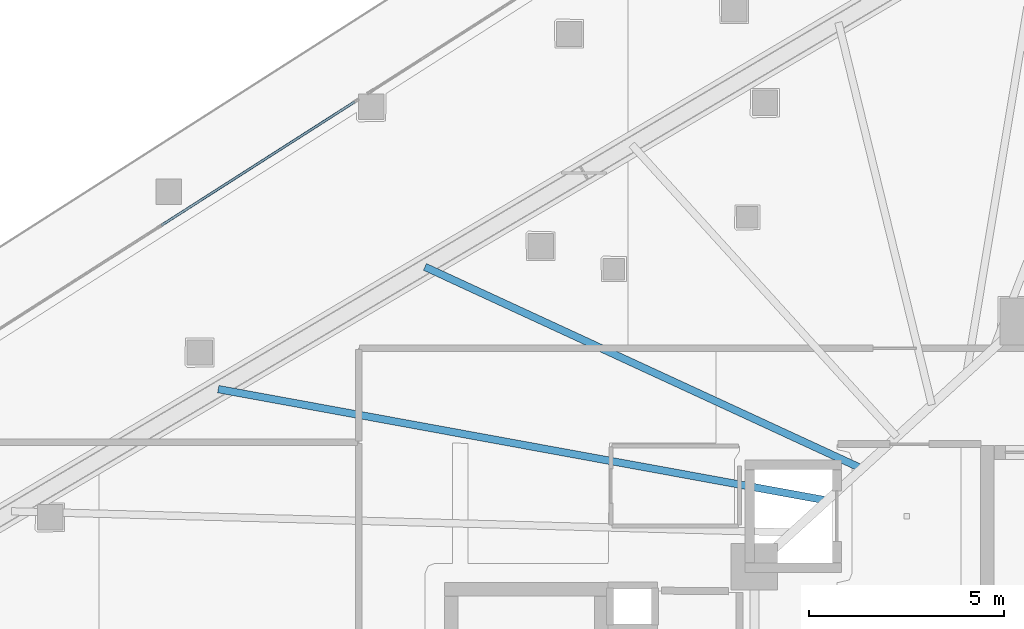
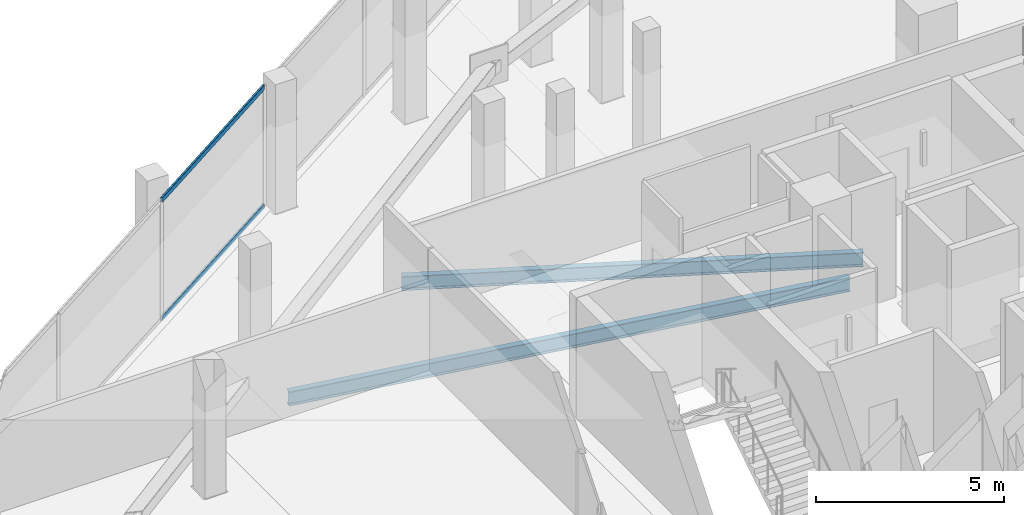
# One storey, part 15 of 43: 2 beams, 2 members, 1 element without a shape of its own.
"""IFC4 building model written with IfcOpenShell, lengths in metres."""

from ifc_helpers import new_model, si_unit, direction, frame, origin, origin_2d, place, context, subcontext, project, spatial, hollow_rectangle, i_section, extrude, material, layer, layer_set, material_profile, profile_set, type_object, element, aggregate, save


model = new_model("IFC4")

# Units and contexts
model_context = context("Model", 3, precision=1e-05, world=origin(), true_north=direction((0.0, 1.0)))
body_context = subcontext(model_context, "Body", "Model", "MODEL_VIEW")
ifc_project = project(units=[si_unit("LENGTHUNIT", "METRE"), si_unit("AREAUNIT", "SQUARE_METRE"), si_unit("VOLUMEUNIT", "CUBIC_METRE"), si_unit("PLANEANGLEUNIT", "RADIAN"), si_unit("MASSUNIT", "GRAM", prefix="KILO")], contexts=[model_context])

# Site, building, storey
site_placement = place(None, origin())
site = spatial("IfcSite", under=ifc_project, at=site_placement, CompositionType="ELEMENT")
building_placement = place(site_placement, origin())
building = spatial("IfcBuilding", under=site, at=building_placement, Name="Qorvath Tower", CompositionType="ELEMENT")
storey_placement = place(building_placement, frame((0.0, 0.0, 36.60009765625)))
storey = spatial("IfcBuildingStorey", under=building, at=storey_placement, Name="L07", CompositionType="ELEMENT", Elevation=36.60009765625)

# Beams
ifc_material_1 = material(Name="Steel ASTM A992 Grade 50", Category="steel")
ifc_material_profile_1 = material_profile(ifc_material_1, i_section(OverallWidth=0.18994140625, OverallDepth=0.45703125, WebThickness=0.009033203125, FlangeThickness=0.014404296875, FilletRadius=0.011962890625, at=origin_2d()), Name="W18x50")
ifc_profile_set_1 = profile_set([ifc_material_profile_1], Name="Steel ASTM A992 Grade 50")
beam_type = type_object("IfcBeamType", Name="BM-FJ2", PredefinedType="JOIST", material=ifc_profile_set_1)
beam_1_placement = place(storey_placement, frame((-28.636962890625, 6.85107421875, -0.508544921875), z_axis=(-0.983656498786, 0.180055248176, 0.0), x_axis=(-0.180055248176, -0.983656498786, 0.0)))
element("IfcBeam", 1, at=beam_1_placement, inside=storey, type_object=beam_type, Name="Composite Floor Joist NW2 L07", PredefinedType="JOIST", context=body_context, shape_type="SweptSolid", body=[
    extrude(i_section(OverallWidth=0.18994140625, OverallDepth=0.45703125, WebThickness=0.009033203125, FlangeThickness=0.014404296875, FilletRadius=0.011962890625, at=origin_2d()), origin(), (0.0, 0.0, 1.0), 15.884521484375),
])
beam_2_placement = place(storey_placement, frame((-27.739990234375, 7.669921875, -0.508544921875), z_axis=(-0.907881281747, 0.419227358665, 0.0), x_axis=(-0.419227358665, -0.907881281747, 0.0)))
element("IfcBeam", 2, at=beam_2_placement, inside=storey, type_object=beam_type, Name="Composite Floor Joist NW3 L07", PredefinedType="JOIST", context=body_context, shape_type="SweptSolid", body=[
    extrude(i_section(OverallWidth=0.18994140625, OverallDepth=0.45703125, WebThickness=0.009033203125, FlangeThickness=0.014404296875, FilletRadius=0.011962890625, at=origin_2d()), origin(), (0.0, 0.0, 1.0), 12.353515625),
])

# Curtain wall, members
ifc_material_2 = material(Name="Anodised aluminium and triple low-E glass", Category="aluminium")
ifc_layer = layer(ifc_material_2, 0.179931640625)
ifc_layer_set = layer_set([ifc_layer], Name="CW-SYS-2")
curtain_wall_type = type_object("IfcCurtainWallType", Name="CW-SYS-2", PredefinedType="NOTDEFINED", material=ifc_layer_set)
curtain_wall_placement = place(storey_placement, origin())
curtain_wall = element("IfcCurtainWall", 3, at=curtain_wall_placement, inside=storey, type_object=curtain_wall_type, Name="Curtain Wall CW-2 CW-T-L07-16.3", PredefinedType="NOTDEFINED")
ifc_material_3 = material(Name="Anodised aluminium 6063-T6", Category="aluminium")
ifc_material_profile_2 = material_profile(ifc_material_3, hollow_rectangle(XDim=0.06494140625, YDim=0.159912109375, WallThickness=0.00341796875, InnerFilletRadius=0.00341796875, OuterFilletRadius=0.007080078125, at=origin_2d()), Name="CWT 160x65")
ifc_profile_set_2 = profile_set([ifc_material_profile_2], Name="Anodised aluminium 6063-T6")
member_type = type_object("IfcMemberType", Name="CWT-160", PredefinedType="USERDEFINED", material=ifc_profile_set_2)
member_1_placement = place(storey_placement, frame((-40.757080078125, 17.087646484375, 0.032470703125), z_axis=(-0.84261640637, -0.538514244673, 0.0), x_axis=(0.538514244673, -0.84261640637, 0.0)))
member_1 = element("IfcMember", 4, at=member_1_placement, type_object=member_type, Name="CW-2 transom 1.1", ObjectType="TRANSOM", PredefinedType="USERDEFINED", context=body_context, shape_type="SweptSolid", body=[
    extrude(hollow_rectangle(XDim=0.06494140625, YDim=0.159912109375, WallThickness=0.00341796875, InnerFilletRadius=0.00341796875, OuterFilletRadius=0.007080078125, at=origin_2d()), origin(), (0.0, 0.0, 1.0), 5.89599609375),
])
member_2_placement = place(storey_placement, frame((-40.757080078125, 17.087646484375, 3.887451171875), z_axis=(-0.84261640637, -0.538514244673, 0.0), x_axis=(0.538514244673, -0.84261640637, 0.0)))
member_2 = element("IfcMember", 5, at=member_2_placement, type_object=member_type, Name="CW-2 transom 1.2", ObjectType="TRANSOM", PredefinedType="USERDEFINED", context=body_context, shape_type="SweptSolid", body=[
    extrude(hollow_rectangle(XDim=0.06494140625, YDim=0.159912109375, WallThickness=0.00341796875, InnerFilletRadius=0.00341796875, OuterFilletRadius=0.007080078125, at=origin_2d()), origin(), (0.0, 0.0, 1.0), 5.89599609375),
])
aggregate(curtain_wall, [member_1, member_2])

save(model, "model.ifc")
